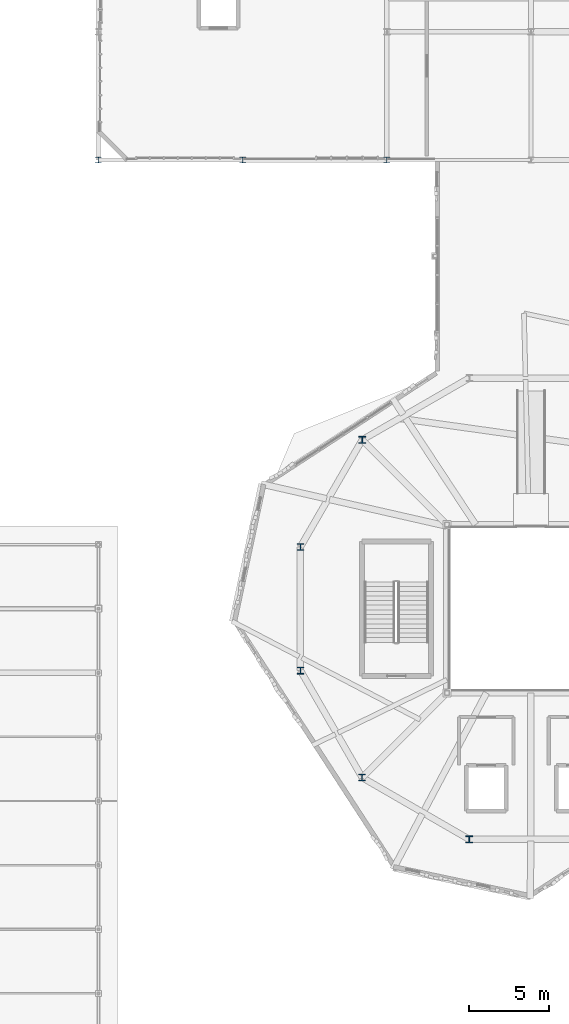
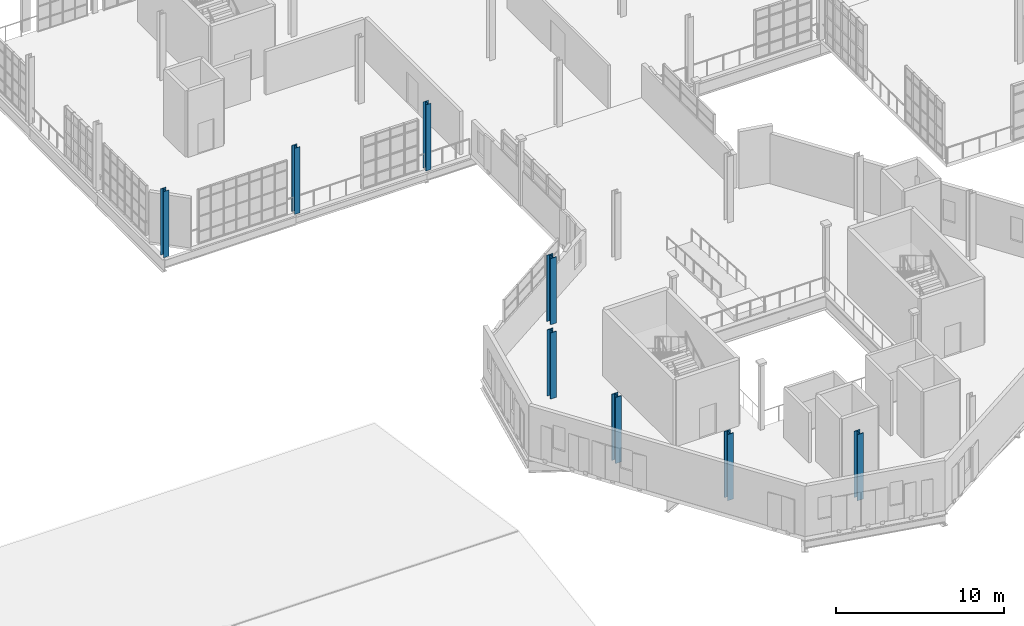
# One storey, part 1 of 118: 8 columns.
"""IFC4 building model written with IfcOpenShell, lengths in metres."""

from ifc_helpers import new_model, si_unit, direction, frame, origin, origin_2d, place, context, subcontext, project, spatial, i_section, extrude, material, material_profile, profile_set, type_object, element, save


model = new_model("IFC4")

# Units and contexts
model_context = context("Model", 3, precision=1e-05, world=origin(), true_north=direction((0.0, 1.0)))
body_context = subcontext(model_context, "Body", "Model", "MODEL_VIEW")
ifc_project = project(units=[si_unit("LENGTHUNIT", "METRE"), si_unit("AREAUNIT", "SQUARE_METRE"), si_unit("VOLUMEUNIT", "CUBIC_METRE"), si_unit("PLANEANGLEUNIT", "RADIAN"), si_unit("MASSUNIT", "GRAM", prefix="KILO"), si_unit("THERMODYNAMICTEMPERATUREUNIT", "KELVIN"), si_unit("POWERUNIT", "WATT")], contexts=[model_context])

# Site, building, storey
site_placement = place(None, origin())
site = spatial("IfcSite", under=ifc_project, at=site_placement, CompositionType="ELEMENT")
building_placement = place(site_placement, origin())
building = spatial("IfcBuilding", under=site, at=building_placement, Name="Zelmaris Science Centre", CompositionType="ELEMENT")
storey_placement = place(building_placement, frame((0.0, 0.0, 15.60009765625)))
storey = spatial("IfcBuildingStorey", under=building, at=storey_placement, Name="L03", CompositionType="ELEMENT", Elevation=15.60009765625)

# Columns
ifc_material = material(Name="Steel ASTM A992 Grade 50", Category="steel")
ifc_material_profile_1 = material_profile(ifc_material, i_section(OverallWidth=0.412109375, OverallDepth=0.43408203125, WebThickness=0.035888671875, FlangeThickness=0.044189453125, FilletRadius=0.014892578125, at=origin_2d()), Name="W14X311")
ifc_profile_set_1 = profile_set([ifc_material_profile_1], Name="Steel ASTM A992 Grade 50")
column_type_1 = type_object("IfcColumnType", Name="Column C-01 W14X311", PredefinedType="COLUMN", material=ifc_profile_set_1)
for number, where, z_axis, x_axis, name in (
    (1, (70.464111328125, 46.535888671875, 0.0), (0.0, 0.0, 1.0), (1.0, 0.0, 0.0), "Column V2-MC05 L03"),
    (2, (66.607666015625, 32.1435546875, 0.0), (0.0, 0.0, 1.0), (1.0, 0.0, 0.0), "Column V2-MC07 L03"),
    (3, (77.1435546875, 21.607666015625, 0.0), (0.0, 0.0, 1.0), (1.0, 0.0, 0.0), "Column V2-MC09 L03"),
):
    element("IfcColumn", number, at=place(storey_placement, frame(where, z_axis=z_axis, x_axis=x_axis)), inside=storey, type_object=column_type_1, Name=name, PredefinedType="COLUMN", context=body_context, shape_type="SweptSolid", body=[
        extrude(i_section(OverallWidth=0.412109375, OverallDepth=0.43408203125, WebThickness=0.035888671875, FlangeThickness=0.044189453125, FilletRadius=0.014892578125, at=origin_2d()), origin(), (0.0, 0.0, 1.0), 4.7998046875),
    ])
ifc_material_profile_2 = material_profile(ifc_material, i_section(OverallWidth=0.406005859375, OverallDepth=0.4169921875, WebThickness=0.02978515625, FlangeThickness=0.04443359375, FilletRadius=0.014892578125, at=origin_2d()), Name="W14X257")
ifc_profile_set_2 = profile_set([ifc_material_profile_2], Name="Steel ASTM A992 Grade 50")
column_type_2 = type_object("IfcColumnType", Name="Column C-02 W14X257", PredefinedType="COLUMN", material=ifc_profile_set_2)
for number, where, z_axis, x_axis, name in (
    (4, (66.607666015625, 39.8564453125, 0.0), (0.0, 0.0, 1.0), (1.0, 0.0, 0.0), "Column V2-MC06 L03"),
    (5, (70.464111328125, 25.464111328125, 0.0), (0.0, 0.0, 1.0), (1.0, 0.0, 0.0), "Column V2-MC08 L03"),
):
    element("IfcColumn", number, at=place(storey_placement, frame(where, z_axis=z_axis, x_axis=x_axis)), inside=storey, type_object=column_type_2, Name=name, PredefinedType="COLUMN", context=body_context, shape_type="SweptSolid", body=[
        extrude(i_section(OverallWidth=0.406005859375, OverallDepth=0.4169921875, WebThickness=0.02978515625, FlangeThickness=0.04443359375, FilletRadius=0.014892578125, at=origin_2d()), origin(), (0.0, 0.0, 1.0), 4.7998046875),
    ])
ifc_material_profile_3 = material_profile(ifc_material, i_section(OverallWidth=0.367919921875, OverallDepth=0.35595703125, WebThickness=0.01123046875, FlangeThickness=0.01806640625, FilletRadius=0.014892578125, at=origin_2d()), Name="W14X90")
ifc_profile_set_3 = profile_set([ifc_material_profile_3], Name="Steel ASTM A992 Grade 50")
column_type_3 = type_object("IfcColumnType", Name="Column C-07 W14X90", PredefinedType="COLUMN", material=ifc_profile_set_3)
for number, where, z_axis, x_axis, name in (
    (6, (54.0, 64.0, 0.0), (0.0, 0.0, 1.0), (1.0, 0.0, 0.0), "Column V5-C-54-64 L03"),
    (7, (63.0, 64.0, 0.0), (0.0, 0.0, 1.0), (1.0, 0.0, 0.0), "Column V5-C-63-64 L03"),
    (8, (72.0, 64.0, 0.0), (0.0, 0.0, 1.0), (1.0, 0.0, 0.0), "Column V5-C-72-64 L03"),
):
    element("IfcColumn", number, at=place(storey_placement, frame(where, z_axis=z_axis, x_axis=x_axis)), inside=storey, type_object=column_type_3, Name=name, PredefinedType="COLUMN", context=body_context, shape_type="SweptSolid", body=[
        extrude(i_section(OverallWidth=0.367919921875, OverallDepth=0.35595703125, WebThickness=0.01123046875, FlangeThickness=0.01806640625, FilletRadius=0.014892578125, at=origin_2d()), origin(), (0.0, 0.0, 1.0), 4.7998046875),
    ])

save(model, "model.ifc")
